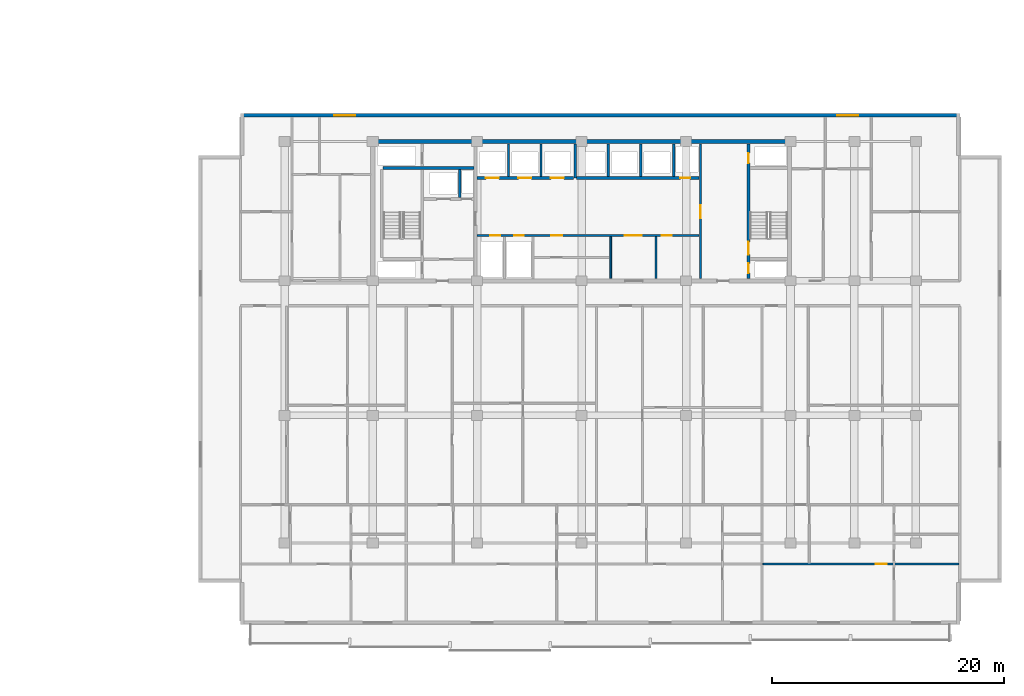
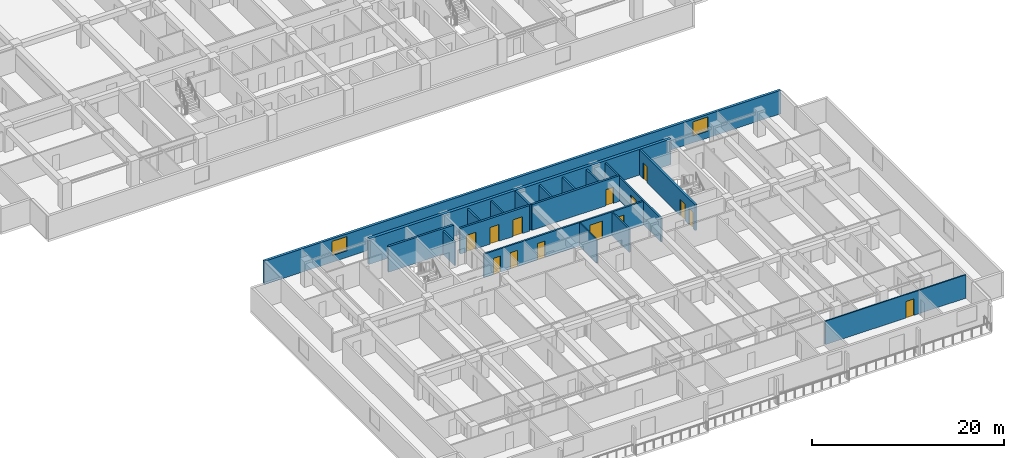
# One storey, part 7 of 23: 18 walls, 14 doors, 2 windows, 16 openings.
"""IFC4 building model written with IfcOpenShell, lengths in metres."""

from ifc_helpers import new_model, si_unit, direction, frame, frame_2d, origin, place, context, subcontext, project, spatial, rectangle, extrude, material, layer, layer_set, type_object, element, fill, save


model = new_model("IFC4")

# Units and contexts
model_context = context("Model", 3, precision=1e-05, world=origin(), true_north=direction((0.0, 1.0)))
body_context = subcontext(model_context, "Body", "Model", "MODEL_VIEW")
ifc_project = project(units=[si_unit("LENGTHUNIT", "METRE"), si_unit("AREAUNIT", "SQUARE_METRE"), si_unit("VOLUMEUNIT", "CUBIC_METRE"), si_unit("PLANEANGLEUNIT", "RADIAN"), si_unit("MASSUNIT", "GRAM", prefix="KILO")], contexts=[model_context])

# Site, building, storey
site_placement = place(None, origin())
site = spatial("IfcSite", under=ifc_project, at=site_placement, CompositionType="ELEMENT")
building_placement = place(site_placement, origin())
building = spatial("IfcBuilding", under=site, at=building_placement, Name="Korimba Cascade Residences", CompositionType="ELEMENT")
storey_placement = place(building_placement, frame((0.0, 0.0, 40.25)))
storey = spatial("IfcBuildingStorey", under=building, at=storey_placement, Name="L10", CompositionType="ELEMENT", Elevation=40.25)

# Wall, openings, windows
ifc_material_1 = material(Name="Precast concrete C40/50", Category="concrete")
ifc_layer_1 = layer(ifc_material_1, 0.300048828125)
ifc_layer_set_1 = layer_set([ifc_layer_1], Name="Precast concrete C40/50")
wall_type_1 = type_object("IfcWallType", Name="EW-STONE-300", PredefinedType="STANDARD", material=ifc_layer_set_1)
wall_1_placement = place(storey_placement, frame((132.699951171875, 32.64990234375, 0.0), z_axis=(0.0, 0.0, 1.0), x_axis=(-1.0, 0.0, 0.0)))
wall_1 = element("IfcWall", 1, at=wall_1_placement, inside=storey, type_object=wall_type_1, Name="L10 T2 Perimeter Stone Wall E06", PredefinedType="STANDARD", context=body_context, shape_type="SweptSolid", body=[
    extrude(rectangle(XDim=62.0, YDim=0.300048828125, at=frame_2d((31.0, 0.0))), origin(), (0.0, 0.0, 1.0), 2.969970703125),
])
opening_1_placement = place(wall_1_placement, frame((52.125, 0.0, 0.85009765625)))
opening_1 = element("IfcOpeningElement", 2, at=opening_1_placement, cuts=wall_1, Name="Opening W-02", PredefinedType="OPENING", context=body_context, shape_type="SweptSolid", body=[
    extrude(rectangle(XDim=1.800048828125, YDim=1.800048828125, at=frame_2d((0.89990234375, 0.89990234375))), frame((0.0, 0.16015625, 0.0), z_axis=(0.0, -1.0, 0.0), x_axis=(1.0, 0.0, 0.0)), (0.0, 0.0, 1.0), 0.320068359375),
])
opening_2_placement = place(wall_1_placement, frame((8.77490234375, 0.0, 0.85009765625)))
opening_2 = element("IfcOpeningElement", 3, at=opening_2_placement, cuts=wall_1, Name="Opening W-02", PredefinedType="OPENING", context=body_context, shape_type="SweptSolid", body=[
    extrude(rectangle(XDim=1.800048828125, YDim=1.800048828125, at=frame_2d((0.89990234375, 0.89990234375))), frame((0.0, 0.16015625, 0.0), z_axis=(0.0, -1.0, 0.0), x_axis=(1.0, 0.0, 0.0)), (0.0, 0.0, 1.0), 0.320068359375),
])
ifc_material_2 = material(Name="Double-Glazed Aluminium Window", Category="aluminium")
window_type = type_object("IfcWindowType", Name="WIN-BED-1800", PartitioningType="SINGLE_PANEL", PredefinedType="WINDOW", material=ifc_material_2)
window_1_placement = place(opening_1_placement, origin())
window_1 = element("IfcWindow", 4, at=window_1_placement, inside=storey, type_object=window_type, Name="L10 T2 North Corner Bedroom Window 1", OverallHeight=1.800048828125, OverallWidth=1.800048828125, PartitioningType="SINGLE_PANEL", PredefinedType="WINDOW", context=body_context, shape_type="SweptSolid", body=[
    extrude(rectangle(XDim=1.800048828125, YDim=1.800048828125, at=frame_2d((0.89990234375, 0.89990234375))), frame((0.0, 0.030029296875, 0.0), z_axis=(0.0, -1.0, 0.0), x_axis=(1.0, 0.0, 0.0)), (0.0, 0.0, 1.0), 0.06005859375),
])
fill(opening_1, window_1)
window_2_placement = place(opening_2_placement, origin())
window_2 = element("IfcWindow", 5, at=window_2_placement, inside=storey, type_object=window_type, Name="L10 T2 North Corner Bedroom Window 2", OverallHeight=1.800048828125, OverallWidth=1.800048828125, PartitioningType="SINGLE_PANEL", PredefinedType="WINDOW", context=body_context, shape_type="SweptSolid", body=[
    extrude(rectangle(XDim=1.800048828125, YDim=1.800048828125, at=frame_2d((0.89990234375, 0.89990234375))), frame((0.0, 0.030029296875, 0.0), z_axis=(0.0, -1.0, 0.0), x_axis=(1.0, 0.0, 0.0)), (0.0, 0.0, 1.0), 0.06005859375),
])
fill(opening_2, window_2)

# Walls
ifc_material_3 = material(Name="Concrete C65/80", Category="concrete")
ifc_layer_2 = layer(ifc_material_3, 0.35009765625)
ifc_layer_set_2 = layer_set([ifc_layer_2], Name="Concrete C65/80")
wall_type_2 = type_object("IfcWallType", Name="WAL-CORE-350", PredefinedType="SHEAR", material=ifc_layer_set_2)
wall_2_placement = place(storey_placement, frame((81.925048828125, 30.39990234375, 0.0), z_axis=(0.0, 0.0, 1.0), x_axis=(1.0, 0.0, 0.0)))
element("IfcWall", 6, at=wall_2_placement, inside=storey, type_object=wall_type_2, Name="L10 Core Shear Wall CW-L10-T2-N", PredefinedType="SHEAR", context=body_context, shape_type="SweptSolid", body=[
    extrude(rectangle(XDim=36.264892578125, YDim=0.35009765625, at=frame_2d((18.13232421875, 0.0))), origin(), (0.0, 0.0, 1.0), 3.25),
])
ifc_material_4 = material(Name="Insulated Acoustic Stud Partition", Category="gypsum")
ifc_layer_3 = layer(ifc_material_4, 0.14990234375)
ifc_layer_set_3 = layer_set([ifc_layer_3], Name="Insulated Acoustic Stud Partition")
wall_type_3 = type_object("IfcWallType", Name="WAL-PART-150", PredefinedType="PARTITIONING", material=ifc_layer_set_3)
for number, where, z_axis, x_axis, name in (
    (7, (102.60009765625, 18.60009765625, 0.0), (0.0, 0.0, 1.0), (0.0, 1.0, 0.0), "L10 Partition Wall CW-L10-T2-THW"),
    (8, (106.5, 18.60009765625, 0.0), (0.0, 0.0, 1.0), (0.0, 1.0, 0.0), "L10 Partition Wall CW-L10-T2-THE"),
):
    element("IfcWall", number, at=place(storey_placement, frame(where, z_axis=z_axis, x_axis=x_axis)), inside=storey, type_object=wall_type_3, Name=name, PredefinedType="PARTITIONING", context=body_context, shape_type="SweptSolid", body=[
        extrude(rectangle(XDim=3.599853515625, YDim=0.14990234375, at=frame_2d((1.7998046875, 0.0))), origin(), (0.0, 0.0, 1.0), 2.969970703125),
    ])

# Wall, opening, door
wall_3_placement = place(storey_placement, frame((115.73095703125, -6.0, 0.0), z_axis=(0.0, 0.0, 1.0), x_axis=(1.0, 0.0, 0.0)))
wall_3 = element("IfcWall", 9, at=wall_3_placement, inside=storey, type_object=wall_type_3, Name="L10 Partition Wall WAL-L10-T2-U04-HZ", PredefinedType="PARTITIONING", context=body_context, shape_type="SweptSolid", body=[
    extrude(rectangle(XDim=16.88916015625, YDim=0.14990234375, at=frame_2d((8.444580078125, 0.0))), origin(), (0.0, 0.0, 1.0), 2.969970703125),
])
opening_3_placement = place(wall_3_placement, frame((9.705078125, 0.0, 0.0)))
opening_3 = element("IfcOpeningElement", 10, at=opening_3_placement, cuts=wall_3, Name="Opening D-IN0", PredefinedType="OPENING", context=body_context, shape_type="SweptSolid", body=[
    extrude(rectangle(XDim=0.93994140625, YDim=2.10009765625, at=frame_2d((0.469970703125, 1.050048828125))), frame((0.0, 0.0849609375, 0.0), z_axis=(0.0, -1.0, 0.0), x_axis=(1.0, 0.0, 0.0)), (0.0, 0.0, 1.0), 0.169921875),
])
ifc_material_5 = material(Name="Acoustic Timber Living Archway Door", Category="wood")
door_type_1 = type_object("IfcDoorType", Name="DR-INT-950", OperationType="NOTDEFINED", PredefinedType="DOOR", material=ifc_material_5)
door_1_placement = place(opening_3_placement, origin())
door_1 = element("IfcDoor", 11, at=door_1_placement, inside=storey, type_object=door_type_1, Name="L10-T2-U04 Living Archway Door", OperationType="SINGLE_SWING_LEFT", OverallHeight=2.10009765625, OverallWidth=0.93994140625, PredefinedType="DOOR", context=body_context, shape_type="SweptSolid", body=[
    extrude(rectangle(XDim=0.93994140625, YDim=2.10009765625, at=frame_2d((0.469970703125, 1.050048828125))), frame((0.0, 0.02490234375, 0.0), z_axis=(0.0, -1.0, 0.0), x_axis=(1.0, 0.0, 0.0)), (0.0, 0.0, 1.0), 0.050048828125),
])
fill(opening_3, door_1)

# Walls
ifc_material_6 = material(Name="Concrete C40/50", Category="concrete")
ifc_layer_4 = layer(ifc_material_6, 0.199951171875)
ifc_layer_set_4 = layer_set([ifc_layer_4], Name="Concrete C40/50")
wall_type_4 = type_object("IfcWallType", Name="WAL-PART-200", PredefinedType="PARTITIONING", material=ifc_layer_set_4)
wall_4_placement = place(storey_placement, frame((89.60009765625, 25.580078125, 0.0), z_axis=(0.0, 0.0, 1.0), x_axis=(0.0, 1.0, 0.0)))
element("IfcWall", 12, at=wall_4_placement, inside=storey, type_object=wall_type_4, Name="L10 Partition Wall CW-L10-T2-FFLDIV", PredefinedType="PARTITIONING", context=body_context, shape_type="SweptSolid", body=[
    extrude(rectangle(XDim=2.419921875, YDim=0.199951171875, at=frame_2d((1.2099609375, 0.0))), origin(), (0.0, 0.0, 1.0), 2.969970703125),
])
for number, where, z_axis, x_axis, name in (
    (13, (93.800048828125, 27.3798828125, 0.0), (0.0, 0.0, 1.0), (0.0, 1.0, 0.0), "L10 Partition Wall CW-L10-T2-B1D1"),
    (14, (96.60009765625, 27.3798828125, 0.0), (0.0, 0.0, 1.0), (0.0, 1.0, 0.0), "L10 Partition Wall CW-L10-T2-B1D2"),
    (15, (102.39990234375, 27.3798828125, 0.0), (0.0, 0.0, 1.0), (0.0, 1.0, 0.0), "L10 Partition Wall CW-L10-T2-B2D1"),
    (16, (105.199951171875, 27.3798828125, 0.0), (0.0, 0.0, 1.0), (0.0, 1.0, 0.0), "L10 Partition Wall CW-L10-T2-B2D2"),
    (17, (108.050048828125, 27.3798828125, 0.0), (0.0, 0.0, 1.0), (0.0, 1.0, 0.0), "L10 Partition Wall CW-L10-T2-B2D3"),
):
    element("IfcWall", number, at=place(storey_placement, frame(where, z_axis=z_axis, x_axis=x_axis)), inside=storey, type_object=wall_type_4, Name=name, PredefinedType="PARTITIONING", context=body_context, shape_type="SweptSolid", body=[
        extrude(rectangle(XDim=2.820068359375, YDim=0.199951171875, at=frame_2d((1.41015625, 0.0))), origin(), (0.0, 0.0, 1.0), 2.969970703125),
    ])

# Wall, openings, doors
wall_5_placement = place(storey_placement, frame((91.080078125, 22.300048828125, 0.0), z_axis=(0.0, 0.0, 1.0), x_axis=(1.0, 0.0, 0.0)))
wall_5 = element("IfcWall", 18, at=wall_5_placement, inside=storey, type_object=wall_type_4, Name="L10 Partition Wall CW-L10-T2-SRVROW", PredefinedType="PARTITIONING", context=body_context, shape_type="SweptSolid", body=[
    extrude(rectangle(XDim=19.139892578125, YDim=0.199951171875, at=frame_2d((9.56982421875, 0.0))), origin(), (0.0, 0.0, 1.0), 2.969970703125),
])
opening_4_placement = place(wall_5_placement, frame((1.14990234375, 0.0, 0.0)))
opening_4 = element("IfcOpeningElement", 19, at=opening_4_placement, cuts=wall_5, Name="Opening D-RS1", PredefinedType="OPENING", context=body_context, shape_type="SweptSolid", body=[
    extrude(rectangle(XDim=0.85009765625, YDim=2.050048828125, at=frame_2d((0.425048828125, 1.02490234375))), frame((0.0, 0.10986328125, 0.0), z_axis=(0.0, -1.0, 0.0), x_axis=(1.0, 0.0, 0.0)), (0.0, 0.0, 1.0), 0.219970703125),
])
opening_5_placement = place(wall_5_placement, frame((3.199951171875, 0.0, 0.0)))
opening_5 = element("IfcOpeningElement", 20, at=opening_5_placement, cuts=wall_5, Name="Opening D-RS1", PredefinedType="OPENING", context=body_context, shape_type="SweptSolid", body=[
    extrude(rectangle(XDim=0.85009765625, YDim=2.050048828125, at=frame_2d((0.425048828125, 1.02490234375))), frame((0.0, 0.10986328125, 0.0), z_axis=(0.0, -1.0, 0.0), x_axis=(1.0, 0.0, 0.0)), (0.0, 0.0, 1.0), 0.219970703125),
])
opening_6_placement = place(wall_5_placement, frame((12.719970703125, 0.0, 0.0)))
opening_6 = element("IfcOpeningElement", 21, at=opening_6_placement, cuts=wall_5, Name="Opening D-FD8", PredefinedType="OPENING", context=body_context, shape_type="SweptSolid", body=[
    extrude(rectangle(XDim=1.5, YDim=2.199951171875, at=frame_2d((0.75, 1.10009765625))), frame((0.0, 0.10986328125, 0.0), z_axis=(0.0, -1.0, 0.0), x_axis=(1.0, 0.0, 0.0)), (0.0, 0.0, 1.0), 0.219970703125),
])
opening_7_placement = place(wall_5_placement, frame((6.419921875, 0.0, 0.0)))
opening_7 = element("IfcOpeningElement", 22, at=opening_7_placement, cuts=wall_5, Name="Opening D-IN1", PredefinedType="OPENING", context=body_context, shape_type="SweptSolid", body=[
    extrude(rectangle(XDim=0.919921875, YDim=2.080078125, at=frame_2d((0.4599609375, 1.0400390625))), frame((0.0, 0.10986328125, 0.0), z_axis=(0.0, -1.0, 0.0), x_axis=(1.0, 0.0, 0.0)), (0.0, 0.0, 1.0), 0.219970703125),
])
opening_8_placement = place(wall_5_placement, frame((15.919921875, 0.0, 0.0)))
opening_8 = element("IfcOpeningElement", 23, at=opening_8_placement, cuts=wall_5, Name="Opening D-IN2", PredefinedType="OPENING", context=body_context, shape_type="SweptSolid", body=[
    extrude(rectangle(XDim=0.8798828125, YDim=2.06005859375, at=frame_2d((0.43994140625, 1.030029296875))), frame((0.0, 0.10986328125, 0.0), z_axis=(0.0, -1.0, 0.0), x_axis=(1.0, 0.0, 0.0)), (0.0, 0.0, 1.0), 0.219970703125),
])
ifc_material_7 = material(Name="Fire-Rated Steel Riser Access Door", Category="steel")
door_type_2 = type_object("IfcDoorType", Name="DR-FD60-850", OperationType="NOTDEFINED", PredefinedType="DOOR", material=ifc_material_7)
door_2_placement = place(opening_4_placement, origin())
door_2 = element("IfcDoor", 24, at=door_2_placement, inside=storey, type_object=door_type_2, Name="L10 T2 Electrical Riser Door", OperationType="SINGLE_SWING_RIGHT", OverallHeight=2.050048828125, OverallWidth=0.85009765625, PredefinedType="DOOR", context=body_context, shape_type="SweptSolid", body=[
    extrude(rectangle(XDim=0.85009765625, YDim=2.050048828125, at=frame_2d((0.425048828125, 1.02490234375))), frame((0.0, 0.02490234375, 0.0), z_axis=(0.0, -1.0, 0.0), x_axis=(1.0, 0.0, 0.0)), (0.0, 0.0, 1.0), 0.050048828125),
])
fill(opening_4, door_2)
door_3_placement = place(opening_5_placement, origin())
door_3 = element("IfcDoor", 25, at=door_3_placement, inside=storey, type_object=door_type_2, Name="L10 T2 Plumbing Riser Door", OperationType="SINGLE_SWING_LEFT", OverallHeight=2.050048828125, OverallWidth=0.85009765625, PredefinedType="DOOR", context=body_context, shape_type="SweptSolid", body=[
    extrude(rectangle(XDim=0.85009765625, YDim=2.050048828125, at=frame_2d((0.425048828125, 1.02490234375))), frame((0.0, 0.02490234375, 0.0), z_axis=(0.0, -1.0, 0.0), x_axis=(1.0, 0.0, 0.0)), (0.0, 0.0, 1.0), 0.050048828125),
])
fill(opening_5, door_3)
ifc_material_8 = material(Name="Fire-Rated Glazed Lift Lobby Double Door", Category="glass")
door_type_3 = type_object("IfcDoorType", Name="DR-FD90-1500", OperationType="NOTDEFINED", PredefinedType="DOOR", material=ifc_material_8)
door_4_placement = place(opening_6_placement, origin())
door_4 = element("IfcDoor", 26, at=door_4_placement, inside=storey, type_object=door_type_3, Name="L10 T2 Lift Lobby Foyer Door", OperationType="DOUBLE_DOOR_SINGLE_SWING", OverallHeight=2.199951171875, OverallWidth=1.5, PredefinedType="DOOR", context=body_context, shape_type="SweptSolid", body=[
    extrude(rectangle(XDim=1.5, YDim=2.199951171875, at=frame_2d((0.75, 1.10009765625))), frame((0.0, 0.02490234375, 0.0), z_axis=(0.0, -1.0, 0.0), x_axis=(1.0, 0.0, 0.0)), (0.0, 0.0, 1.0), 0.050048828125),
])
fill(opening_6, door_4)
ifc_material_9 = material(Name="Acoustic Timber Bedroom Door", Category="wood")
door_type_4 = type_object("IfcDoorType", Name="DR-INT-880", OperationType="NOTDEFINED", PredefinedType="DOOR", material=ifc_material_9)
door_5_placement = place(opening_8_placement, origin())
door_5 = element("IfcDoor", 27, at=door_5_placement, inside=storey, type_object=door_type_4, Name="L10 T2 Staff WC Door", OperationType="SINGLE_SWING_LEFT", OverallHeight=2.06005859375, OverallWidth=0.8798828125, PredefinedType="DOOR", context=body_context, shape_type="SweptSolid", body=[
    extrude(rectangle(XDim=0.8798828125, YDim=2.06005859375, at=frame_2d((0.43994140625, 1.030029296875))), frame((0.0, 0.02490234375, 0.0), z_axis=(0.0, -1.0, 0.0), x_axis=(1.0, 0.0, 0.0)), (0.0, 0.0, 1.0), 0.050048828125),
])
fill(opening_8, door_5)
ifc_material_10 = material(Name="Acoustic Timber Living Door", Category="wood")
door_type_5 = type_object("IfcDoorType", Name="DR-INT-920", OperationType="NOTDEFINED", PredefinedType="DOOR", material=ifc_material_10)
door_6_placement = place(opening_7_placement, origin())
door_6 = element("IfcDoor", 28, at=door_6_placement, inside=storey, type_object=door_type_5, Name="L10 T2 Locker Door", OperationType="SINGLE_SWING_RIGHT", OverallHeight=2.080078125, OverallWidth=0.919921875, PredefinedType="DOOR", context=body_context, shape_type="SweptSolid", body=[
    extrude(rectangle(XDim=0.919921875, YDim=2.080078125, at=frame_2d((0.4599609375, 1.0400390625))), frame((0.0, 0.02490234375, 0.0), z_axis=(0.0, -1.0, 0.0), x_axis=(1.0, 0.0, 0.0)), (0.0, 0.0, 1.0), 0.050048828125),
])
fill(opening_7, door_6)

# Wall, opening, door
wall_6_placement = place(storey_placement, frame((110.35009765625, 18.60009765625, 0.0), z_axis=(0.0, 0.0, 1.0), x_axis=(0.0, 1.0, 0.0)))
wall_6 = element("IfcWall", 29, at=wall_6_placement, inside=storey, type_object=wall_type_4, Name="L10 Partition Wall CW-L10-T2-LLEV", PredefinedType="PARTITIONING", context=body_context, shape_type="SweptSolid", body=[
    extrude(rectangle(XDim=11.599853515625, YDim=0.199951171875, at=frame_2d((5.7998046875, 0.0))), origin(), (0.0, 0.0, 1.0), 2.969970703125),
])
opening_9_placement = place(wall_6_placement, frame((5.199951171875, 0.0, 0.0)))
opening_9 = element("IfcOpeningElement", 30, at=opening_9_placement, cuts=wall_6, Name="Opening D-FD6", PredefinedType="OPENING", context=body_context, shape_type="SweptSolid", body=[
    extrude(rectangle(XDim=1.10009765625, YDim=2.14990234375, at=frame_2d((0.550048828125, 1.074951171875))), frame((0.0, 0.10986328125, 0.0), z_axis=(0.0, -1.0, 0.0), x_axis=(1.0, 0.0, 0.0)), (0.0, 0.0, 1.0), 0.219970703125),
])
ifc_material_11 = material(Name="Fire-Rated Timber Stair Lobby Door", Category="wood")
door_type_6 = type_object("IfcDoorType", Name="DR-FD90-1100", OperationType="NOTDEFINED", PredefinedType="DOOR", material=ifc_material_11)
door_7_placement = place(opening_9_placement, origin())
door_7 = element("IfcDoor", 31, at=door_7_placement, inside=storey, type_object=door_type_6, Name="L10 T2 Lift Lobby to East Stair Lobby Door", OperationType="SINGLE_SWING_RIGHT", OverallHeight=2.14990234375, OverallWidth=1.10009765625, PredefinedType="DOOR", context=body_context, shape_type="SweptSolid", body=[
    extrude(rectangle(XDim=1.10009765625, YDim=2.14990234375, at=frame_2d((0.550048828125, 1.074951171875))), frame((0.0, 0.02490234375, 0.0), z_axis=(0.0, -1.0, 0.0), x_axis=(1.0, 0.0, 0.0)), (0.0, 0.0, 1.0), 0.050048828125),
])
fill(opening_9, door_7)

# Wall
ifc_material_12 = material(Name="Concrete C50/60", Category="concrete")
ifc_layer_5 = layer(ifc_material_12, 0.25)
ifc_layer_set_5 = layer_set([ifc_layer_5], Name="Concrete C50/60")
wall_type_5 = type_object("IfcWallType", Name="WAL-SHAFT-250", PredefinedType="SHEAR", material=ifc_layer_set_5)
wall_7_placement = place(storey_placement, frame((83.0, 28.125, 0.0), z_axis=(0.0, 0.0, 1.0), x_axis=(1.0, 0.0, 0.0)))
element("IfcWall", 32, at=wall_7_placement, inside=storey, type_object=wall_type_5, Name="L10 Core Shear Wall CW-L10-T2-STE1N", PredefinedType="SHEAR", context=body_context, shape_type="SweptSolid", body=[
    extrude(rectangle(XDim=7.820068359375, YDim=0.25, at=frame_2d((3.91015625, 0.0))), origin(), (0.0, 0.0, 1.0), 3.25),
])

# Wall, openings, doors
wall_8_placement = place(storey_placement, frame((91.080078125, 27.25, 0.0), z_axis=(0.0, 0.0, 1.0), x_axis=(1.0, 0.0, 0.0)))
wall_8 = element("IfcWall", 33, at=wall_8_placement, inside=storey, type_object=wall_type_5, Name="L10 Core Shear Wall CW-L10-T2-B1S", PredefinedType="SHEAR", context=body_context, shape_type="SweptSolid", body=[
    extrude(rectangle(XDim=8.33984375, YDim=0.25, at=frame_2d((4.169921875, 0.0))), origin(), (0.0, 0.0, 1.0), 3.25),
])
opening_10_placement = place(wall_8_placement, frame((0.760009765625, 0.0, 0.0)))
opening_10 = element("IfcOpeningElement", 34, at=opening_10_placement, cuts=wall_8, Name="Opening LD-01", PredefinedType="OPENING", context=body_context, shape_type="SweptSolid", body=[
    extrude(rectangle(XDim=1.1201171875, YDim=2.1201171875, at=frame_2d((0.56005859375, 1.06005859375))), frame((0.0, 0.135009765625, 0.0), z_axis=(0.0, -1.0, 0.0), x_axis=(1.0, 0.0, 0.0)), (0.0, 0.0, 1.0), 0.27001953125),
])
opening_11_placement = place(wall_8_placement, frame((3.56005859375, 0.0, 0.0)))
opening_11 = element("IfcOpeningElement", 35, at=opening_11_placement, cuts=wall_8, Name="Opening LD-01", PredefinedType="OPENING", context=body_context, shape_type="SweptSolid", body=[
    extrude(rectangle(XDim=1.1201171875, YDim=2.1201171875, at=frame_2d((0.56005859375, 1.06005859375))), frame((0.0, 0.135009765625, 0.0), z_axis=(0.0, -1.0, 0.0), x_axis=(1.0, 0.0, 0.0)), (0.0, 0.0, 1.0), 0.27001953125),
])
opening_12_placement = place(wall_8_placement, frame((6.360107421875, 0.0, 0.0)))
opening_12 = element("IfcOpeningElement", 36, at=opening_12_placement, cuts=wall_8, Name="Opening LD-01", PredefinedType="OPENING", context=body_context, shape_type="SweptSolid", body=[
    extrude(rectangle(XDim=1.1201171875, YDim=2.1201171875, at=frame_2d((0.56005859375, 1.06005859375))), frame((0.0, 0.135009765625, 0.0), z_axis=(0.0, -1.0, 0.0), x_axis=(1.0, 0.0, 0.0)), (0.0, 0.0, 1.0), 0.27001953125),
])
ifc_material_13 = material(Name="Stainless Steel Lift Landing Sliding Door", Category="steel")
door_type_7 = type_object("IfcDoorType", Name="DR-LIFT-1100", OperationType="NOTDEFINED", PredefinedType="DOOR", material=ifc_material_13)
door_8_placement = place(opening_10_placement, origin())
door_8 = element("IfcDoor", 37, at=door_8_placement, inside=storey, type_object=door_type_7, Name="L10 Lift Landing Door PL-E1", OperationType="SLIDING_TO_LEFT", OverallHeight=2.1201171875, OverallWidth=1.1201171875, PredefinedType="DOOR", context=body_context, shape_type="SweptSolid", body=[
    extrude(rectangle(XDim=1.1201171875, YDim=2.1201171875, at=frame_2d((0.56005859375, 1.06005859375))), frame((0.0, 0.02490234375, 0.0), z_axis=(0.0, -1.0, 0.0), x_axis=(1.0, 0.0, 0.0)), (0.0, 0.0, 1.0), 0.050048828125),
])
fill(opening_10, door_8)
door_9_placement = place(opening_11_placement, origin())
door_9 = element("IfcDoor", 38, at=door_9_placement, inside=storey, type_object=door_type_7, Name="L10 Lift Landing Door PL-E2", OperationType="SLIDING_TO_LEFT", OverallHeight=2.1201171875, OverallWidth=1.1201171875, PredefinedType="DOOR", context=body_context, shape_type="SweptSolid", body=[
    extrude(rectangle(XDim=1.1201171875, YDim=2.1201171875, at=frame_2d((0.56005859375, 1.06005859375))), frame((0.0, 0.02490234375, 0.0), z_axis=(0.0, -1.0, 0.0), x_axis=(1.0, 0.0, 0.0)), (0.0, 0.0, 1.0), 0.050048828125),
])
fill(opening_11, door_9)
door_10_placement = place(opening_12_placement, origin())
door_10 = element("IfcDoor", 39, at=door_10_placement, inside=storey, type_object=door_type_7, Name="L10 Lift Landing Door PL-E3", OperationType="SLIDING_TO_LEFT", OverallHeight=2.1201171875, OverallWidth=1.1201171875, PredefinedType="DOOR", context=body_context, shape_type="SweptSolid", body=[
    extrude(rectangle(XDim=1.1201171875, YDim=2.1201171875, at=frame_2d((0.56005859375, 1.06005859375))), frame((0.0, 0.02490234375, 0.0), z_axis=(0.0, -1.0, 0.0), x_axis=(1.0, 0.0, 0.0)), (0.0, 0.0, 1.0), 0.050048828125),
])
fill(opening_12, door_10)

# Wall
wall_9_placement = place(storey_placement, frame((99.550048828125, 27.25, 0.0), z_axis=(0.0, 0.0, 1.0), x_axis=(0.0, 1.0, 0.0)))
element("IfcWall", 40, at=wall_9_placement, inside=storey, type_object=wall_type_5, Name="L10 Core Shear Wall CW-L10-T2-B12DIV", PredefinedType="SHEAR", context=body_context, shape_type="SweptSolid", body=[
    extrude(rectangle(XDim=2.949951171875, YDim=0.25, at=frame_2d((1.47509765625, 0.0))), origin(), (0.0, 0.0, 1.0), 3.25),
])

# Wall, opening, door
wall_10_placement = place(storey_placement, frame((99.679931640625, 27.25, 0.0), z_axis=(0.0, 0.0, 1.0), x_axis=(1.0, 0.0, 0.0)))
wall_10 = element("IfcWall", 41, at=wall_10_placement, inside=storey, type_object=wall_type_5, Name="L10 Core Shear Wall CW-L10-T2-B2S", PredefinedType="SHEAR", context=body_context, shape_type="SweptSolid", body=[
    extrude(rectangle(XDim=10.5400390625, YDim=0.25, at=frame_2d((5.27001953125, 0.0))), origin(), (0.0, 0.0, 1.0), 3.25),
])
opening_13_placement = place(wall_10_placement, frame((8.919921875, 0.0, 0.0)))
opening_13 = element("IfcOpeningElement", 42, at=opening_13_placement, cuts=wall_10, Name="Opening D-RS1", PredefinedType="OPENING", context=body_context, shape_type="SweptSolid", body=[
    extrude(rectangle(XDim=0.85009765625, YDim=2.050048828125, at=frame_2d((0.425048828125, 1.02490234375))), frame((0.0, 0.135009765625, 0.0), z_axis=(0.0, -1.0, 0.0), x_axis=(1.0, 0.0, 0.0)), (0.0, 0.0, 1.0), 0.27001953125),
])
door_11_placement = place(opening_13_placement, origin())
door_11 = element("IfcDoor", 43, at=door_11_placement, inside=storey, type_object=door_type_2, Name="L10 T2 Duct Door", OperationType="SINGLE_SWING_RIGHT", OverallHeight=2.050048828125, OverallWidth=0.85009765625, PredefinedType="DOOR", context=body_context, shape_type="SweptSolid", body=[
    extrude(rectangle(XDim=0.85009765625, YDim=2.050048828125, at=frame_2d((0.425048828125, 1.02490234375))), frame((0.0, 0.02490234375, 0.0), z_axis=(0.0, -1.0, 0.0), x_axis=(1.0, 0.0, 0.0)), (0.0, 0.0, 1.0), 0.050048828125),
])
fill(opening_13, door_11)

# Wall, openings, doors
wall_11_placement = place(storey_placement, frame((114.47509765625, 18.60009765625, 0.0), z_axis=(0.0, 0.0, 1.0), x_axis=(0.0, 1.0, 0.0)))
wall_11 = element("IfcWall", 44, at=wall_11_placement, inside=storey, type_object=wall_type_5, Name="L10 Core Shear Wall CW-L10-T2-STE2W", PredefinedType="SHEAR", context=body_context, shape_type="SweptSolid", body=[
    extrude(rectangle(XDim=11.599853515625, YDim=0.25, at=frame_2d((5.7998046875, 0.0))), origin(), (0.0, 0.0, 1.0), 3.25),
])
opening_14_placement = place(wall_11_placement, frame((0.449951171875, 0.0, 0.0)))
opening_14 = element("IfcOpeningElement", 45, at=opening_14_placement, cuts=wall_11, Name="Opening D-RS1", PredefinedType="OPENING", context=body_context, shape_type="SweptSolid", body=[
    extrude(rectangle(XDim=0.85009765625, YDim=2.050048828125, at=frame_2d((0.425048828125, 1.02490234375))), frame((0.0, 0.135009765625, 0.0), z_axis=(0.0, -1.0, 0.0), x_axis=(1.0, 0.0, 0.0)), (0.0, 0.0, 1.0), 0.27001953125),
])
opening_15_placement = place(wall_11_placement, frame((2.050048828125, 0.0, 0.0)))
opening_15 = element("IfcOpeningElement", 46, at=opening_15_placement, cuts=wall_11, Name="Opening D-FD1", PredefinedType="OPENING", context=body_context, shape_type="SweptSolid", body=[
    extrude(rectangle(XDim=1.10009765625, YDim=2.10009765625, at=frame_2d((0.550048828125, 1.050048828125))), frame((0.0, 0.135009765625, 0.0), z_axis=(0.0, -1.0, 0.0), x_axis=(1.0, 0.0, 0.0)), (0.0, 0.0, 1.0), 0.27001953125),
])
opening_16_placement = place(wall_11_placement, frame((9.949951171875, 0.0, 0.0)))
opening_16 = element("IfcOpeningElement", 47, at=opening_16_placement, cuts=wall_11, Name="Opening D-RS1", PredefinedType="OPENING", context=body_context, shape_type="SweptSolid", body=[
    extrude(rectangle(XDim=0.85009765625, YDim=2.050048828125, at=frame_2d((0.425048828125, 1.02490234375))), frame((0.0, 0.135009765625, 0.0), z_axis=(0.0, -1.0, 0.0), x_axis=(1.0, 0.0, 0.0)), (0.0, 0.0, 1.0), 0.27001953125),
])
ifc_material_14 = material(Name="Fire-Rated Steel Core Door", Category="steel")
door_type_8 = type_object("IfcDoorType", Name="DR-FD120-1100", OperationType="NOTDEFINED", PredefinedType="DOOR", material=ifc_material_14)
door_12_placement = place(opening_15_placement, origin())
door_12 = element("IfcDoor", 48, at=door_12_placement, inside=storey, type_object=door_type_8, Name="L10 Fire Stair ST-E2 Door", OperationType="SINGLE_SWING_RIGHT", OverallHeight=2.10009765625, OverallWidth=1.10009765625, PredefinedType="DOOR", context=body_context, shape_type="SweptSolid", body=[
    extrude(rectangle(XDim=1.10009765625, YDim=2.10009765625, at=frame_2d((0.550048828125, 1.050048828125))), frame((0.0, 0.02490234375, 0.0), z_axis=(0.0, -1.0, 0.0), x_axis=(1.0, 0.0, 0.0)), (0.0, 0.0, 1.0), 0.050048828125),
])
fill(opening_15, door_12)
door_13_placement = place(opening_14_placement, origin())
door_13 = element("IfcDoor", 49, at=door_13_placement, inside=storey, type_object=door_type_2, Name="L10 T2 East Hydrant Door", OperationType="SINGLE_SWING_LEFT", OverallHeight=2.050048828125, OverallWidth=0.85009765625, PredefinedType="DOOR", context=body_context, shape_type="SweptSolid", body=[
    extrude(rectangle(XDim=0.85009765625, YDim=2.050048828125, at=frame_2d((0.425048828125, 1.02490234375))), frame((0.0, 0.02490234375, 0.0), z_axis=(0.0, -1.0, 0.0), x_axis=(1.0, 0.0, 0.0)), (0.0, 0.0, 1.0), 0.050048828125),
])
fill(opening_14, door_13)
door_14_placement = place(opening_16_placement, origin())
door_14 = element("IfcDoor", 50, at=door_14_placement, inside=storey, type_object=door_type_2, Name="L10 T2 East Riser Door", OperationType="SINGLE_SWING_LEFT", OverallHeight=2.050048828125, OverallWidth=0.85009765625, PredefinedType="DOOR", context=body_context, shape_type="SweptSolid", body=[
    extrude(rectangle(XDim=0.85009765625, YDim=2.050048828125, at=frame_2d((0.425048828125, 1.02490234375))), frame((0.0, 0.02490234375, 0.0), z_axis=(0.0, -1.0, 0.0), x_axis=(1.0, 0.0, 0.0)), (0.0, 0.0, 1.0), 0.050048828125),
])
fill(opening_16, door_14)

save(model, "model.ifc")
